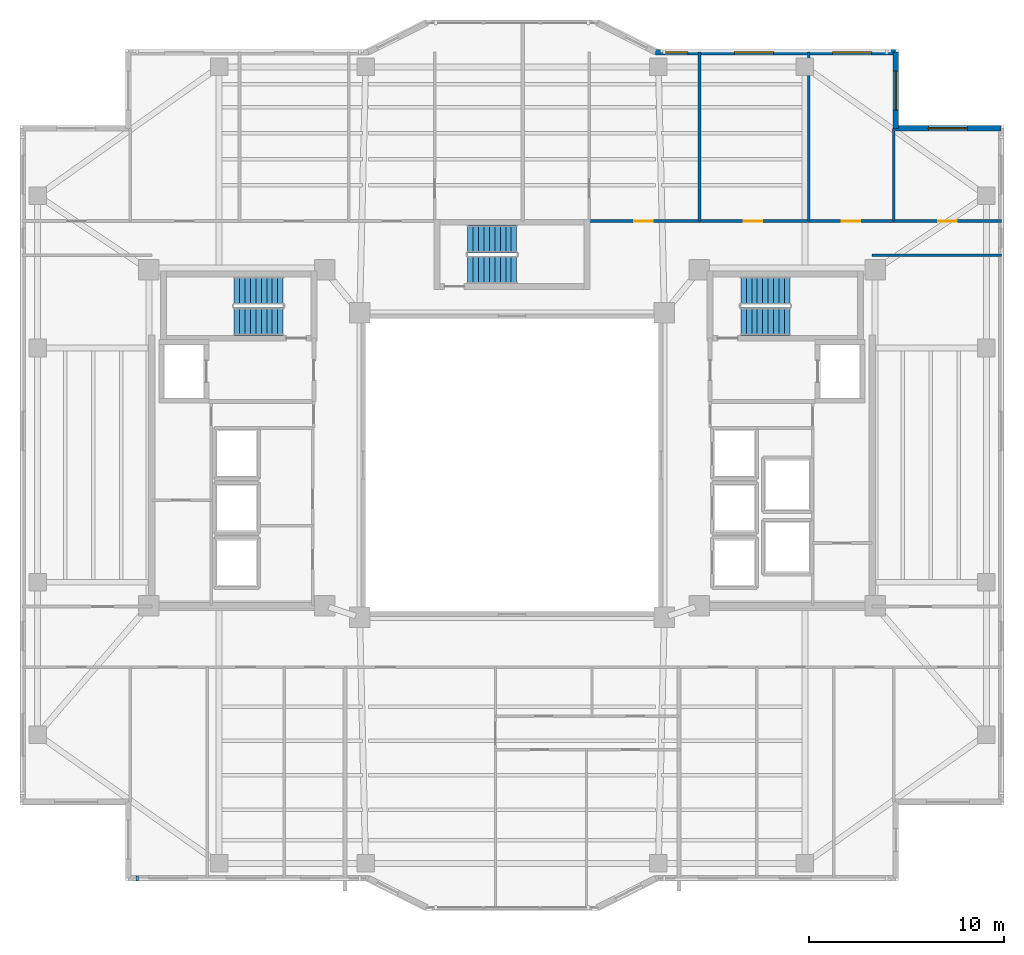
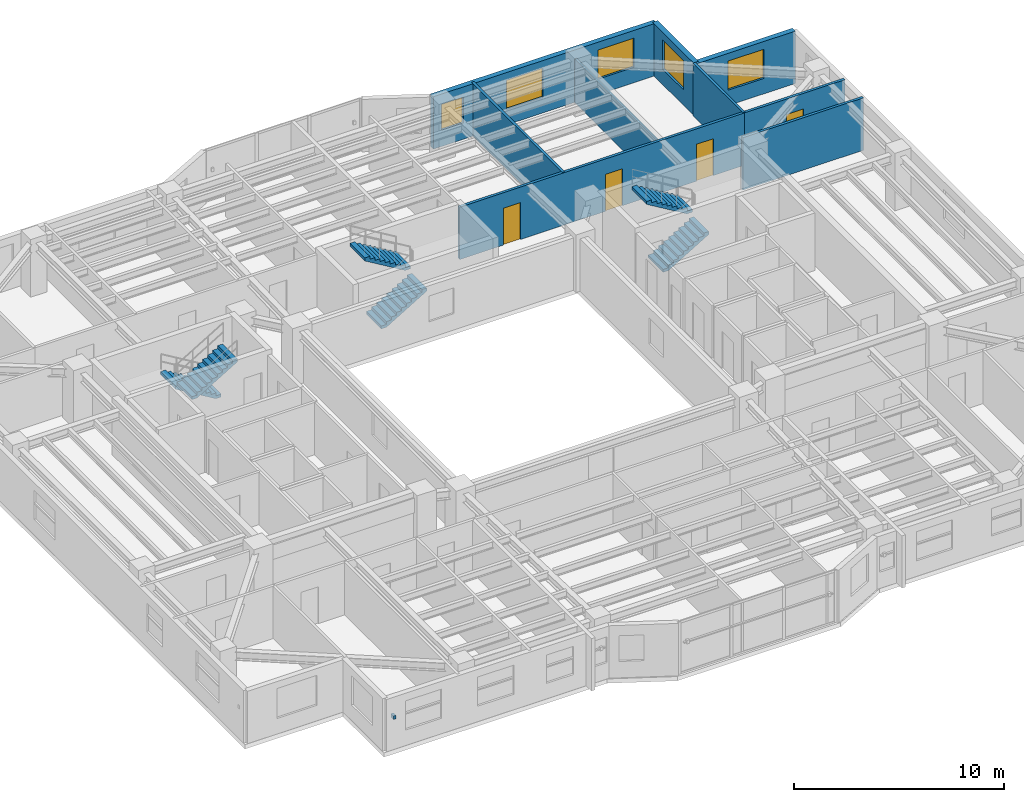
# One storey, part 10 of 15: 9 walls, 6 stair flights, 5 windows, 4 doors, 1 discrete accessory, 9 openings, 3 elements without a shape of their own.
"""IFC4 building model written with IfcOpenShell, lengths in metres."""

from ifc_helpers import new_model, si_unit, direction, frame, frame_2d, origin, origin_2d, place, context, subcontext, project, spatial, polyline, rectangle, outline, extrude, material, layer, layer_set, type_object, element, fill, aggregate, save


model = new_model("IFC4")

# Units and contexts
model_context = context("Model", 3, precision=1e-05, world=origin(), true_north=direction((0.0, 1.0)))
body_context = subcontext(model_context, "Body", "Model", "MODEL_VIEW")
ifc_project = project(units=[si_unit("LENGTHUNIT", "METRE"), si_unit("AREAUNIT", "SQUARE_METRE"), si_unit("VOLUMEUNIT", "CUBIC_METRE"), si_unit("PLANEANGLEUNIT", "RADIAN"), si_unit("MASSUNIT", "GRAM", prefix="KILO")], contexts=[model_context])

# Site, building, storey
site_placement = place(None, origin())
site = spatial("IfcSite", under=ifc_project, at=site_placement, CompositionType="ELEMENT")
building_placement = place(site_placement, origin())
building = spatial("IfcBuilding", under=site, at=building_placement, Name="Tarnavaz Court Tower", CompositionType="ELEMENT")
storey_placement = place(building_placement, frame((0.0, 0.0, 169.449951171875)))
storey = spatial("IfcBuildingStorey", under=building, at=storey_placement, Name="L46", CompositionType="ELEMENT", Elevation=169.449951171875)

# Wall, openings, windows
ifc_material_1 = material(Name="Precast Concrete C40/50", Category="concrete")
ifc_layer_1 = layer(ifc_material_1, 0.280029296875)
ifc_layer_set_1 = layer_set([ifc_layer_1], Name="Precast Concrete C40/50")
wall_type_1 = type_object("IfcWallType", Name="WL-EXT-280", PredefinedType="SOLIDWALL", material=ifc_layer_set_1)
wall_1_placement = place(storey_placement, frame((7.35009765625, 21.14990234375, 0.0), z_axis=(0.0, 0.0, 1.0), x_axis=(1.0, 0.0, 0.0)))
wall_1 = element("IfcWall", 1, at=wall_1_placement, inside=storey, type_object=wall_type_1, Name="L46 Exterior Terracotta Facade Wall 09", PredefinedType="SOLIDWALL", context=body_context, shape_type="SweptSolid", body=[
    extrude(rectangle(XDim=12.2998046875, YDim=0.280029296875, at=frame_2d((6.14990234375, 0.0))), origin(), (0.0, 0.0, 1.0), 3.050048828125),
])
opening_1_placement = place(wall_1_placement, frame((0.454345703125, 0.0, 0.949951171875)))
opening_1 = element("IfcOpeningElement", 2, at=opening_1_placement, cuts=wall_1, Name="Opening W05", PredefinedType="OPENING", context=body_context, shape_type="SweptSolid", body=[
    extrude(rectangle(XDim=1.199951171875, YDim=1.5, at=frame_2d((0.60009765625, 0.75))), frame((0.0, 0.14990234375, 0.0), z_axis=(0.0, -1.0, 0.0), x_axis=(1.0, 0.0, 0.0)), (0.0, 0.0, 1.0), 0.300048828125),
])
opening_2_placement = place(wall_1_placement, frame((4.04541015625, 0.0, 0.89990234375)))
opening_2 = element("IfcOpeningElement", 3, at=opening_2_placement, cuts=wall_1, Name="Opening W08", PredefinedType="OPENING", context=body_context, shape_type="SweptSolid", body=[
    extrude(rectangle(XDim=2.0, YDim=1.699951171875, at=frame_2d((1.0, 0.85009765625))), frame((0.0, 0.14990234375, 0.0), z_axis=(0.0, -1.0, 0.0), x_axis=(1.0, 0.0, 0.0)), (0.0, 0.0, 1.0), 0.300048828125),
])
opening_3_placement = place(wall_1_placement, frame((9.06591796875, 0.0, 0.89990234375)))
opening_3 = element("IfcOpeningElement", 4, at=opening_3_placement, cuts=wall_1, Name="Opening W08", PredefinedType="OPENING", context=body_context, shape_type="SweptSolid", body=[
    extrude(rectangle(XDim=2.0, YDim=1.699951171875, at=frame_2d((1.0, 0.85009765625))), frame((0.0, 0.14990234375, 0.0), z_axis=(0.0, -1.0, 0.0), x_axis=(1.0, 0.0, 0.0)), (0.0, 0.0, 1.0), 0.300048828125),
])
ifc_material_2 = material(Name="Double-Glazed Solar Low-E Glass", Category="glass")
window_type_1 = type_object("IfcWindowType", Name="WN-APT-1200", PartitioningType="SINGLE_PANEL", PredefinedType="WINDOW", material=ifc_material_2)
window_1_placement = place(opening_1_placement, origin())
window_1 = element("IfcWindow", 5, at=window_1_placement, inside=storey, type_object=window_type_1, Name="L46 Resident Co-Working Study Room Window", OverallHeight=1.5, OverallWidth=1.199951171875, PartitioningType="SINGLE_PANEL", PredefinedType="WINDOW", context=body_context, shape_type="SweptSolid", body=[
    extrude(rectangle(XDim=1.199951171875, YDim=1.5, at=frame_2d((0.60009765625, 0.75))), frame((0.0, 0.030029296875, 0.0), z_axis=(0.0, -1.0, 0.0), x_axis=(1.0, 0.0, 0.0)), (0.0, 0.0, 1.0), 0.06005859375),
])
fill(opening_1, window_1)
window_type_2 = type_object("IfcWindowType", Name="WN-APT-2000", PartitioningType="DOUBLE_PANEL_VERTICAL", PredefinedType="WINDOW", material=ifc_material_2)
window_2_placement = place(opening_2_placement, origin())
window_2 = element("IfcWindow", 6, at=window_2_placement, inside=storey, type_object=window_type_2, Name="L46 Quiet Reading Library Room Window", OverallHeight=1.699951171875, OverallWidth=2.0, PartitioningType="SINGLE_PANEL", PredefinedType="WINDOW", context=body_context, shape_type="SweptSolid", body=[
    extrude(rectangle(XDim=2.0, YDim=1.699951171875, at=frame_2d((1.0, 0.85009765625))), frame((0.0, 0.030029296875, 0.0), z_axis=(0.0, -1.0, 0.0), x_axis=(1.0, 0.0, 0.0)), (0.0, 0.0, 1.0), 0.06005859375),
])
fill(opening_2, window_2)
window_3_placement = place(opening_3_placement, origin())
window_3 = element("IfcWindow", 7, at=window_3_placement, inside=storey, type_object=window_type_2, Name="L46 Resident Focus Seminar Room Window", OverallHeight=1.699951171875, OverallWidth=2.0, PartitioningType="SINGLE_PANEL", PredefinedType="WINDOW", context=body_context, shape_type="SweptSolid", body=[
    extrude(rectangle(XDim=2.0, YDim=1.699951171875, at=frame_2d((1.0, 0.85009765625))), frame((0.0, 0.030029296875, 0.0), z_axis=(0.0, -1.0, 0.0), x_axis=(1.0, 0.0, 0.0)), (0.0, 0.0, 1.0), 0.06005859375),
])
fill(opening_3, window_3)

# Wall, opening, window
wall_2_placement = place(storey_placement, frame((19.64990234375, 21.14990234375, 0.0), z_axis=(0.0, 0.0, 1.0), x_axis=(0.0, -1.0, 0.0)))
wall_2 = element("IfcWall", 8, at=wall_2_placement, inside=storey, type_object=wall_type_1, Name="L46 Exterior Terracotta Facade Wall 10", PredefinedType="SOLIDWALL", context=body_context, shape_type="SweptSolid", body=[
    extrude(rectangle(XDim=3.89990234375, YDim=0.280029296875, at=frame_2d((1.949951171875, 0.0))), origin(), (0.0, 0.0, 1.0), 3.050048828125),
])
opening_4_placement = place(wall_2_placement, frame((0.9677734375, 0.0, 0.89990234375)))
opening_4 = element("IfcOpeningElement", 9, at=opening_4_placement, cuts=wall_2, Name="Opening W08", PredefinedType="OPENING", context=body_context, shape_type="SweptSolid", body=[
    extrude(rectangle(XDim=2.0, YDim=1.699951171875, at=frame_2d((1.0, 0.85009765625))), frame((0.0, 0.14990234375, 0.0), z_axis=(0.0, -1.0, 0.0), x_axis=(1.0, 0.0, 0.0)), (0.0, 0.0, 1.0), 0.300048828125),
])
window_4_placement = place(opening_4_placement, origin())
window_4 = element("IfcWindow", 10, at=window_4_placement, inside=storey, type_object=window_type_2, Name="L46 Resident Focus Seminar Room Window", OverallHeight=1.699951171875, OverallWidth=2.0, PartitioningType="SINGLE_PANEL", PredefinedType="WINDOW", context=body_context, shape_type="SweptSolid", body=[
    extrude(rectangle(XDim=2.0, YDim=1.699951171875, at=frame_2d((1.0, 0.85009765625))), frame((0.0, 0.030029296875, 0.0), z_axis=(0.0, -1.0, 0.0), x_axis=(1.0, 0.0, 0.0)), (0.0, 0.0, 1.0), 0.06005859375),
])
fill(opening_4, window_4)

wall_3_placement = place(storey_placement, frame((19.64990234375, 17.25, 0.0), z_axis=(0.0, 0.0, 1.0), x_axis=(1.0, 0.0, 0.0)))
wall_3 = element("IfcWall", 11, at=wall_3_placement, inside=storey, type_object=wall_type_1, Name="L46 Exterior Terracotta Facade Wall 11", PredefinedType="SOLIDWALL", context=body_context, shape_type="SweptSolid", body=[
    extrude(rectangle(XDim=5.400146484375, YDim=0.280029296875, at=frame_2d((2.7001953125, 0.0))), origin(), (0.0, 0.0, 1.0), 3.050048828125),
])
opening_5_placement = place(wall_3_placement, frame((1.675048828125, 0.0, 0.89990234375)))
opening_5 = element("IfcOpeningElement", 12, at=opening_5_placement, cuts=wall_3, Name="Opening W08", PredefinedType="OPENING", context=body_context, shape_type="SweptSolid", body=[
    extrude(rectangle(XDim=2.0, YDim=1.699951171875, at=frame_2d((1.0, 0.85009765625))), frame((0.0, 0.14990234375, 0.0), z_axis=(0.0, -1.0, 0.0), x_axis=(1.0, 0.0, 0.0)), (0.0, 0.0, 1.0), 0.300048828125),
])
window_5_placement = place(opening_5_placement, origin())
window_5 = element("IfcWindow", 13, at=window_5_placement, inside=storey, type_object=window_type_2, Name="L46 North-East Corner Sunroom Study Window", OverallHeight=1.699951171875, OverallWidth=2.0, PartitioningType="SINGLE_PANEL", PredefinedType="WINDOW", context=body_context, shape_type="SweptSolid", body=[
    extrude(rectangle(XDim=2.0, YDim=1.699951171875, at=frame_2d((1.0, 0.85009765625))), frame((0.0, 0.030029296875, 0.0), z_axis=(0.0, -1.0, 0.0), x_axis=(1.0, 0.0, 0.0)), (0.0, 0.0, 1.0), 0.06005859375),
])
fill(opening_5, window_5)

# Wall, openings, doors
ifc_material_3 = material(Name="Gypsum Fire-Board on Acoustic Metal Stud", Category="masonry")
ifc_layer_2 = layer(ifc_material_3, 0.14990234375)
ifc_layer_set_2 = layer_set([ifc_layer_2], Name="Gypsum Fire-Board on Acoustic Metal Stud")
wall_type_2 = type_object("IfcWallType", Name="WL-FIRE-150", PredefinedType="PARTITIONING", material=ifc_layer_set_2)
wall_4_placement = place(storey_placement, frame((3.85009765625, 12.5, 0.0), z_axis=(0.0, 0.0, 1.0), x_axis=(1.0, 0.0, 0.0)))
wall_4 = element("IfcWall", 14, at=wall_4_placement, inside=storey, type_object=wall_type_2, Name="L46 NE Wing Corridor Wall 072", PredefinedType="PARTITIONING", context=body_context, shape_type="SweptSolid", body=[
    extrude(rectangle(XDim=15.699951171875, YDim=0.14990234375, at=frame_2d((7.85009765625, 0.0))), origin(), (0.0, 0.0, 1.0), 3.050048828125),
])
opening_6_placement = place(wall_4_placement, frame((2.402099609375, 0.0, 0.0)))
opening_6 = element("IfcOpeningElement", 15, at=opening_6_placement, cuts=wall_4, Name="Opening D13", PredefinedType="OPENING", context=body_context, shape_type="SweptSolid", body=[
    extrude(rectangle(XDim=0.949951171875, YDim=2.14990234375, at=frame_2d((0.47509765625, 1.074951171875))), frame((0.0, 0.0849609375, 0.0), z_axis=(0.0, -1.0, 0.0), x_axis=(1.0, 0.0, 0.0)), (0.0, 0.0, 1.0), 0.169921875),
])
opening_7_placement = place(wall_4_placement, frame((8.02587890625, 0.0, 0.0)))
opening_7 = element("IfcOpeningElement", 16, at=opening_7_placement, cuts=wall_4, Name="Opening D13", PredefinedType="OPENING", context=body_context, shape_type="SweptSolid", body=[
    extrude(rectangle(XDim=0.949951171875, YDim=2.14990234375, at=frame_2d((0.47509765625, 1.074951171875))), frame((0.0, 0.0849609375, 0.0), z_axis=(0.0, -1.0, 0.0), x_axis=(1.0, 0.0, 0.0)), (0.0, 0.0, 1.0), 0.169921875),
])
opening_8_placement = place(wall_4_placement, frame((13.030029296875, 0.0, 0.0)))
opening_8 = element("IfcOpeningElement", 17, at=opening_8_placement, cuts=wall_4, Name="Opening D13", PredefinedType="OPENING", context=body_context, shape_type="SweptSolid", body=[
    extrude(rectangle(XDim=0.949951171875, YDim=2.14990234375, at=frame_2d((0.47509765625, 1.074951171875))), frame((0.0, 0.0849609375, 0.0), z_axis=(0.0, -1.0, 0.0), x_axis=(1.0, 0.0, 0.0)), (0.0, 0.0, 1.0), 0.169921875),
])
ifc_material_4 = material(Name="Engineered Oak Timber", Category="wood")
door_type = type_object("IfcDoorType", Name="DR-INT-950", OperationType="NOTDEFINED", PredefinedType="DOOR", material=ifc_material_4)
door_1_placement = place(opening_6_placement, origin())
door_1 = element("IfcDoor", 18, at=door_1_placement, inside=storey, type_object=door_type, Name="L46 Resident Co-Working Study Room Door", OperationType="SINGLE_SWING_LEFT", OverallHeight=2.14990234375, OverallWidth=0.949951171875, PredefinedType="DOOR", context=body_context, shape_type="SweptSolid", body=[
    extrude(rectangle(XDim=0.949951171875, YDim=2.14990234375, at=frame_2d((0.47509765625, 1.074951171875))), frame((0.0, 0.02490234375, 0.0), z_axis=(0.0, -1.0, 0.0), x_axis=(1.0, 0.0, 0.0)), (0.0, 0.0, 1.0), 0.050048828125),
])
fill(opening_6, door_1)
door_2_placement = place(opening_7_placement, origin())
door_2 = element("IfcDoor", 19, at=door_2_placement, inside=storey, type_object=door_type, Name="L46 Quiet Reading Library Room Door", OperationType="SINGLE_SWING_RIGHT", OverallHeight=2.14990234375, OverallWidth=0.949951171875, PredefinedType="DOOR", context=body_context, shape_type="SweptSolid", body=[
    extrude(rectangle(XDim=0.949951171875, YDim=2.14990234375, at=frame_2d((0.47509765625, 1.074951171875))), frame((0.0, 0.02490234375, 0.0), z_axis=(0.0, -1.0, 0.0), x_axis=(1.0, 0.0, 0.0)), (0.0, 0.0, 1.0), 0.050048828125),
])
fill(opening_7, door_2)
door_3_placement = place(opening_8_placement, origin())
door_3 = element("IfcDoor", 20, at=door_3_placement, inside=storey, type_object=door_type, Name="L46 Resident Focus Seminar Room Door", OperationType="SINGLE_SWING_LEFT", OverallHeight=2.14990234375, OverallWidth=0.949951171875, PredefinedType="DOOR", context=body_context, shape_type="SweptSolid", body=[
    extrude(rectangle(XDim=0.949951171875, YDim=2.14990234375, at=frame_2d((0.47509765625, 1.074951171875))), frame((0.0, 0.02490234375, 0.0), z_axis=(0.0, -1.0, 0.0), x_axis=(1.0, 0.0, 0.0)), (0.0, 0.0, 1.0), 0.050048828125),
])
fill(opening_8, door_3)

# Wall
wall_5_placement = place(storey_placement, frame((18.449951171875, 10.75, 0.0), z_axis=(0.0, 0.0, 1.0), x_axis=(1.0, 0.0, 0.0)))
element("IfcWall", 21, at=wall_5_placement, inside=storey, type_object=wall_type_2, Name="L46 Interior Partition 098", PredefinedType="PARTITIONING", context=body_context, shape_type="SweptSolid", body=[
    extrude(rectangle(XDim=6.630126953125, YDim=0.14990234375, at=frame_2d((3.31494140625, 0.0))), origin(), (0.0, 0.0, 1.0), 3.050048828125),
])

# Wall, opening, door
wall_6_placement = place(storey_placement, frame((19.550048828125, 12.5, 0.0), z_axis=(0.0, 0.0, 1.0), x_axis=(1.0, 0.0, 0.0)))
wall_6 = element("IfcWall", 22, at=wall_6_placement, inside=storey, type_object=wall_type_2, Name="L46 Interior Partition 104", PredefinedType="PARTITIONING", context=body_context, shape_type="SweptSolid", body=[
    extrude(rectangle(XDim=5.530029296875, YDim=0.14990234375, at=frame_2d((2.76513671875, 0.0))), origin(), (0.0, 0.0, 1.0), 3.050048828125),
])
opening_9_placement = place(wall_6_placement, frame((2.2900390625, 0.0, 0.0)))
opening_9 = element("IfcOpeningElement", 23, at=opening_9_placement, cuts=wall_6, Name="Opening D13", PredefinedType="OPENING", context=body_context, shape_type="SweptSolid", body=[
    extrude(rectangle(XDim=0.949951171875, YDim=2.14990234375, at=frame_2d((0.47509765625, 1.074951171875))), frame((0.0, 0.0849609375, 0.0), z_axis=(0.0, -1.0, 0.0), x_axis=(1.0, 0.0, 0.0)), (0.0, 0.0, 1.0), 0.169921875),
])
door_4_placement = place(opening_9_placement, origin())
door_4 = element("IfcDoor", 24, at=door_4_placement, inside=storey, type_object=door_type, Name="L46 NE Sunroom Door", OperationType="SINGLE_SWING_RIGHT", OverallHeight=2.14990234375, OverallWidth=0.949951171875, PredefinedType="DOOR", context=body_context, shape_type="SweptSolid", body=[
    extrude(rectangle(XDim=0.949951171875, YDim=2.14990234375, at=frame_2d((0.47509765625, 1.074951171875))), frame((0.0, 0.02490234375, 0.0), z_axis=(0.0, -1.0, 0.0), x_axis=(1.0, 0.0, 0.0)), (0.0, 0.0, 1.0), 0.050048828125),
])
fill(opening_9, door_4)

# Walls
ifc_material_5 = material(Name="Gypsum Plasterboard Acoustic Partition", Category="masonry")
ifc_layer_3 = layer(ifc_material_5, 0.139892578125)
ifc_layer_set_3 = layer_set([ifc_layer_3], Name="Gypsum Plasterboard Acoustic Partition")
wall_type_3 = type_object("IfcWallType", Name="WL-PART-150", PredefinedType="PARTITIONING", material=ifc_layer_set_3)
wall_7_placement = place(storey_placement, frame((9.60400390625, 12.5, 0.0), z_axis=(0.0, 0.0, 1.0), x_axis=(0.0, 1.0, 0.0)))
element("IfcWall", 25, at=wall_7_placement, inside=storey, type_object=wall_type_3, Name="L46 Interior Partition 080", PredefinedType="PARTITIONING", context=body_context, shape_type="SweptSolid", body=[
    extrude(rectangle(XDim=8.64990234375, YDim=0.139892578125, at=frame_2d((4.324951171875, 0.0))), origin(), (0.0, 0.0, 1.0), 3.050048828125),
])
wall_8_placement = place(storey_placement, frame((15.198974609375, 12.5, 0.0), z_axis=(0.0, 0.0, 1.0), x_axis=(0.0, 1.0, 0.0)))
element("IfcWall", 26, at=wall_8_placement, inside=storey, type_object=wall_type_3, Name="L46 Interior Partition 081", PredefinedType="PARTITIONING", context=body_context, shape_type="SweptSolid", body=[
    extrude(rectangle(XDim=8.64990234375, YDim=0.139892578125, at=frame_2d((4.324951171875, 0.0))), origin(), (0.0, 0.0, 1.0), 2.53515625),
])
wall_9_placement = place(storey_placement, frame((19.550048828125, 12.5, 0.0), z_axis=(0.0, 0.0, 1.0), x_axis=(0.0, 1.0, 0.0)))
element("IfcWall", 27, at=wall_9_placement, inside=storey, type_object=wall_type_3, Name="L46 Interior Partition 102", PredefinedType="PARTITIONING", context=body_context, shape_type="SweptSolid", body=[
    extrude(rectangle(XDim=4.75, YDim=0.139892578125, at=frame_2d((2.375, 0.0))), origin(), (0.0, 0.0, 1.0), 3.050048828125),
])

# Stair, stair flights
ifc_material_6 = material(Name="Concrete C40/50", Category="concrete")
stair_type = type_object("IfcStairType", Name="ST-TWR-20R", PredefinedType="HALF_TURN_STAIR", material=ifc_material_6)
stair_1_placement = place(storey_placement, origin())
stair_1 = element("IfcStair", 28, at=stair_1_placement, inside=storey, type_object=stair_type, Name="L46 West Core Pressurized Exit Stair ST-W1", PredefinedType="HALF_TURN_STAIR")
stair_flight_type = type_object("IfcStairFlightType", Name="SFL-RC-20R", PredefinedType="STRAIGHT", material=ifc_material_6)
stair_flight_1_placement = place(storey_placement, frame((-11.719970703125, 8.929931640625, 0.0), z_axis=(0.0, 0.0, 1.0), x_axis=(-1.0, 0.0, 0.0)))
stair_flight_1 = element("IfcStairFlight", 29, at=stair_flight_1_placement, type_object=stair_flight_type, Name="ST-W1 flight 1", NumberOfRisers=10, NumberOfTreads=9, PredefinedType="STRAIGHT", RiserHeight=0.1675, TreadLength=0.28, context=body_context, shape_type="SweptSolid", body=[
    extrude(outline(polyline([(0.0, 0.0), (0.0, 0.16748046875), (0.280029296875, 0.16748046875), (0.280029296875, 0.3349609375), (0.56005859375, 0.3349609375), (0.56005859375, 0.50244140625), (0.840087890625, 0.50244140625), (0.840087890625, 0.669921875), (1.1201171875, 0.669921875), (1.1201171875, 0.83740234375), (1.39990234375, 0.83740234375), (1.39990234375, 1.0048828125), (1.679931640625, 1.0048828125), (1.679931640625, 1.172607421875), (1.9599609375, 1.172607421875), (1.9599609375, 1.340087890625), (2.239990234375, 1.340087890625), (2.239990234375, 1.507568359375), (2.52001953125, 1.507568359375), (2.52001953125, 1.675048828125), (2.52001953125, 1.332763671875), (0.2919921875, 0.0), (0.0, 0.0)])), frame((0.0, 0.7099609375, 0.0), z_axis=(0.0, -1.0, 0.0), x_axis=(1.0, 0.0, 0.0)), (0.0, 0.0, 1.0), 1.419921875),
])
stair_flight_2_placement = place(storey_placement, frame((-14.239990234375, 7.360107421875, 1.675048828125), z_axis=(0.0, 0.0, 1.0), x_axis=(1.0, 0.0, 0.0)))
stair_flight_2 = element("IfcStairFlight", 30, at=stair_flight_2_placement, type_object=stair_flight_type, Name="ST-W1 flight 2", NumberOfRisers=10, NumberOfTreads=9, PredefinedType="STRAIGHT", RiserHeight=0.1675, TreadLength=0.28, context=body_context, shape_type="SweptSolid", body=[
    extrude(outline(polyline([(0.0, 0.0), (0.0, 0.16748046875), (0.280029296875, 0.16748046875), (0.280029296875, 0.3349609375), (0.56005859375, 0.3349609375), (0.56005859375, 0.50244140625), (0.840087890625, 0.50244140625), (0.840087890625, 0.669921875), (1.1201171875, 0.669921875), (1.1201171875, 0.83740234375), (1.39990234375, 0.83740234375), (1.39990234375, 1.0048828125), (1.679931640625, 1.0048828125), (1.679931640625, 1.172607421875), (1.9599609375, 1.172607421875), (1.9599609375, 1.340087890625), (2.239990234375, 1.340087890625), (2.239990234375, 1.507568359375), (2.52001953125, 1.507568359375), (2.52001953125, 1.675048828125), (2.52001953125, 1.332763671875), (0.2919921875, 0.0), (0.0, 0.0)])), frame((0.0, 0.7099609375, 0.0), z_axis=(0.0, -1.0, 0.0), x_axis=(1.0, 0.0, 0.0)), (0.0, 0.0, 1.0), 1.419921875),
])
aggregate(stair_1, [stair_flight_1, stair_flight_2])

stair_2_placement = place(storey_placement, origin())
stair_2 = element("IfcStair", 31, at=stair_2_placement, inside=storey, type_object=stair_type, Name="L46 East Core Pressurized Exit Stair ST-E1", PredefinedType="HALF_TURN_STAIR")
stair_flight_3_placement = place(storey_placement, frame((11.719970703125, 7.360107421875, 0.0), z_axis=(0.0, 0.0, 1.0), x_axis=(1.0, 0.0, 0.0)))
stair_flight_3 = element("IfcStairFlight", 32, at=stair_flight_3_placement, type_object=stair_flight_type, Name="ST-E1 flight 1", NumberOfRisers=10, NumberOfTreads=9, PredefinedType="STRAIGHT", RiserHeight=0.1675, TreadLength=0.28, context=body_context, shape_type="SweptSolid", body=[
    extrude(outline(polyline([(0.0, 0.0), (0.0, 0.16748046875), (0.280029296875, 0.16748046875), (0.280029296875, 0.3349609375), (0.56005859375, 0.3349609375), (0.56005859375, 0.50244140625), (0.840087890625, 0.50244140625), (0.840087890625, 0.669921875), (1.1201171875, 0.669921875), (1.1201171875, 0.83740234375), (1.39990234375, 0.83740234375), (1.39990234375, 1.0048828125), (1.679931640625, 1.0048828125), (1.679931640625, 1.172607421875), (1.9599609375, 1.172607421875), (1.9599609375, 1.340087890625), (2.239990234375, 1.340087890625), (2.239990234375, 1.507568359375), (2.52001953125, 1.507568359375), (2.52001953125, 1.675048828125), (2.52001953125, 1.332763671875), (0.2919921875, 0.0), (0.0, 0.0)])), frame((0.0, 0.7099609375, 0.0), z_axis=(0.0, -1.0, 0.0), x_axis=(1.0, 0.0, 0.0)), (0.0, 0.0, 1.0), 1.419921875),
])
stair_flight_4_placement = place(storey_placement, frame((14.239990234375, 8.929931640625, 1.675048828125), z_axis=(0.0, 0.0, 1.0), x_axis=(-1.0, 0.0, 0.0)))
stair_flight_4 = element("IfcStairFlight", 33, at=stair_flight_4_placement, type_object=stair_flight_type, Name="ST-E1 flight 2", NumberOfRisers=10, NumberOfTreads=9, PredefinedType="STRAIGHT", RiserHeight=0.1675, TreadLength=0.28, context=body_context, shape_type="SweptSolid", body=[
    extrude(outline(polyline([(0.0, 0.0), (0.0, 0.16748046875), (0.280029296875, 0.16748046875), (0.280029296875, 0.3349609375), (0.56005859375, 0.3349609375), (0.56005859375, 0.50244140625), (0.840087890625, 0.50244140625), (0.840087890625, 0.669921875), (1.1201171875, 0.669921875), (1.1201171875, 0.83740234375), (1.39990234375, 0.83740234375), (1.39990234375, 1.0048828125), (1.679931640625, 1.0048828125), (1.679931640625, 1.172607421875), (1.9599609375, 1.172607421875), (1.9599609375, 1.340087890625), (2.239990234375, 1.340087890625), (2.239990234375, 1.507568359375), (2.52001953125, 1.507568359375), (2.52001953125, 1.675048828125), (2.52001953125, 1.332763671875), (0.2919921875, 0.0), (0.0, 0.0)])), frame((0.0, 0.7099609375, 0.0), z_axis=(0.0, -1.0, 0.0), x_axis=(1.0, 0.0, 0.0)), (0.0, 0.0, 1.0), 1.419921875),
])
aggregate(stair_2, [stair_flight_3, stair_flight_4])

stair_3_placement = place(storey_placement, origin())
stair_3 = element("IfcStair", 34, at=stair_3_placement, inside=storey, type_object=stair_type, Name="L46 North Ring Pressurized Exit Stair ST-N1", PredefinedType="HALF_TURN_STAIR")
stair_flight_5_placement = place(storey_placement, frame((-2.280029296875, 10.010009765625, 0.0), z_axis=(0.0, 0.0, 1.0), x_axis=(1.0, 0.0, 0.0)))
stair_flight_5 = element("IfcStairFlight", 35, at=stair_flight_5_placement, type_object=stair_flight_type, Name="ST-N1 flight 1", NumberOfRisers=10, NumberOfTreads=9, PredefinedType="STRAIGHT", RiserHeight=0.1675, TreadLength=0.28, context=body_context, shape_type="SweptSolid", body=[
    extrude(outline(polyline([(0.0, 0.0), (0.0, 0.16748046875), (0.280029296875, 0.16748046875), (0.280029296875, 0.3349609375), (0.56005859375, 0.3349609375), (0.56005859375, 0.50244140625), (0.840087890625, 0.50244140625), (0.840087890625, 0.669921875), (1.1201171875, 0.669921875), (1.1201171875, 0.83740234375), (1.39990234375, 0.83740234375), (1.39990234375, 1.0048828125), (1.679931640625, 1.0048828125), (1.679931640625, 1.172607421875), (1.9599609375, 1.172607421875), (1.9599609375, 1.340087890625), (2.239990234375, 1.340087890625), (2.239990234375, 1.507568359375), (2.52001953125, 1.507568359375), (2.52001953125, 1.675048828125), (2.52001953125, 1.332763671875), (0.2919921875, 0.0), (0.0, 0.0)])), frame((0.0, 0.7099609375, 0.0), z_axis=(0.0, -1.0, 0.0), x_axis=(1.0, 0.0, 0.0)), (0.0, 0.0, 1.0), 1.419921875),
])
stair_flight_6_placement = place(storey_placement, frame((0.239990234375, 11.580078125, 1.675048828125), z_axis=(0.0, 0.0, 1.0), x_axis=(-1.0, 0.0, 0.0)))
stair_flight_6 = element("IfcStairFlight", 36, at=stair_flight_6_placement, type_object=stair_flight_type, Name="ST-N1 flight 2", NumberOfRisers=10, NumberOfTreads=9, PredefinedType="STRAIGHT", RiserHeight=0.1675, TreadLength=0.28, context=body_context, shape_type="SweptSolid", body=[
    extrude(outline(polyline([(0.0, 0.0), (0.0, 0.16748046875), (0.280029296875, 0.16748046875), (0.280029296875, 0.3349609375), (0.56005859375, 0.3349609375), (0.56005859375, 0.50244140625), (0.840087890625, 0.50244140625), (0.840087890625, 0.669921875), (1.1201171875, 0.669921875), (1.1201171875, 0.83740234375), (1.39990234375, 0.83740234375), (1.39990234375, 1.0048828125), (1.679931640625, 1.0048828125), (1.679931640625, 1.172607421875), (1.9599609375, 1.172607421875), (1.9599609375, 1.340087890625), (2.239990234375, 1.340087890625), (2.239990234375, 1.507568359375), (2.52001953125, 1.507568359375), (2.52001953125, 1.675048828125), (2.52001953125, 1.332763671875), (0.2919921875, 0.0), (0.0, 0.0)])), frame((0.0, 0.7099609375, 0.0), z_axis=(0.0, -1.0, 0.0), x_axis=(1.0, 0.0, 0.0)), (0.0, 0.0, 1.0), 1.419921875),
])
aggregate(stair_3, [stair_flight_5, stair_flight_6])

# Discrete accessory
ifc_material_7 = material(Name="Anodised Aluminium 6063-T6", Category="aluminium")
discrete_accessory_type = type_object("IfcDiscreteAccessoryType", Name="DA-BRKT-ALU", PredefinedType="BRACKET", material=ifc_material_7)
discrete_accessory_placement = place(storey_placement, frame((-19.199951171875, -21.169921875, 1.75), z_axis=(0.0, 0.0, 1.0), x_axis=(-1.0, 0.0, 0.0)))
element("IfcDiscreteAccessory", 37, at=discrete_accessory_placement, inside=storey, type_object=discrete_accessory_type, Name="L46 Baguette Outrigger Bracket FBG19-2", PredefinedType="BRACKET", context=body_context, shape_type="SweptSolid", body=[
    extrude(rectangle(XDim=0.139892578125, YDim=0.239990234375, at=origin_2d()), origin(), (0.0, 0.0, 1.0), 0.199951171875),
])

save(model, "model.ifc")
